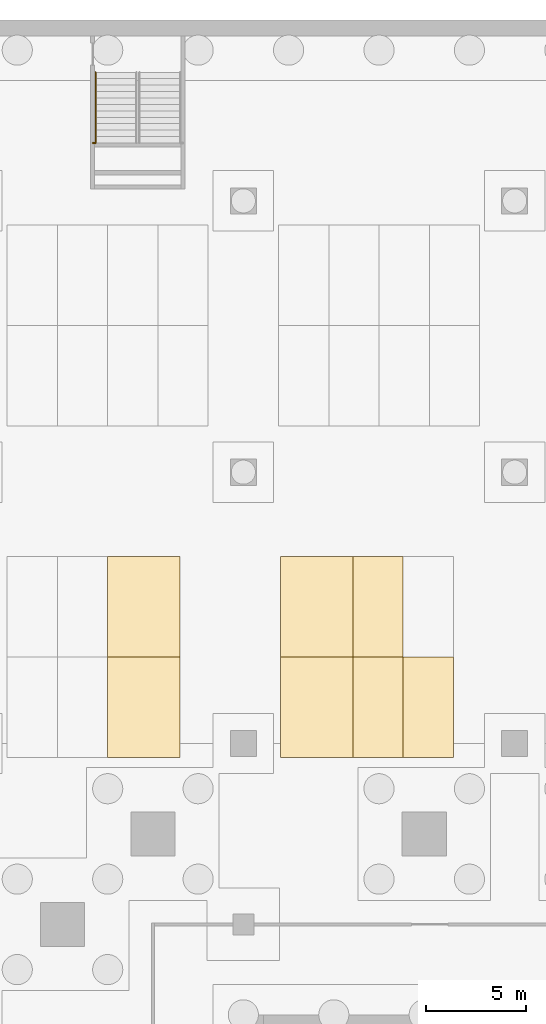
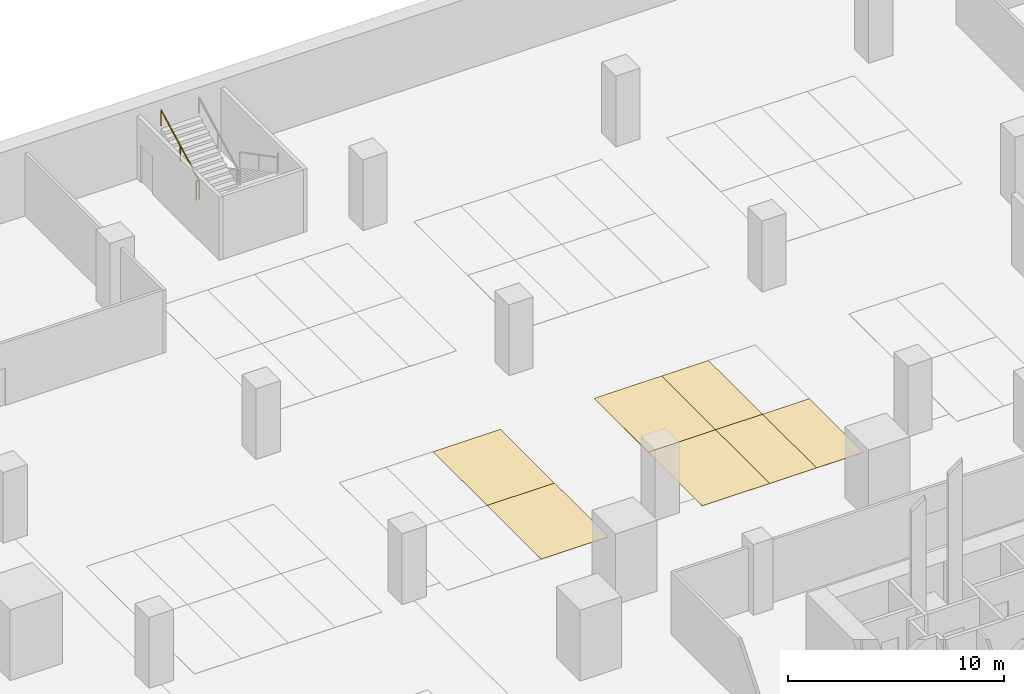
# One storey, part 35 of 40: 7 coverings, 2 railings.
"""IFC4 building model written with IfcOpenShell, lengths in metres."""

from ifc_helpers import new_model, si_unit, direction, frame, origin, origin_2d, place, context, subcontext, project, spatial, polyline, circle, outline, extrude, source, transform, mapped, material, layer, layer_set, type_object, element, save


model = new_model("IFC4")

# Units and contexts
model_context = context("Model", 3, precision=1e-05, world=origin(), true_north=direction((0.0, 1.0)))
body_context = subcontext(model_context, "Body", "Model", "MODEL_VIEW")
ifc_project = project(units=[si_unit("LENGTHUNIT", "METRE"), si_unit("AREAUNIT", "SQUARE_METRE"), si_unit("VOLUMEUNIT", "CUBIC_METRE"), si_unit("PLANEANGLEUNIT", "RADIAN"), si_unit("MASSUNIT", "GRAM", prefix="KILO")], contexts=[model_context])

# Site, building, storey
site_placement = place(None, origin())
site = spatial("IfcSite", under=ifc_project, at=site_placement, CompositionType="ELEMENT")
building_placement = place(site_placement, origin())
building = spatial("IfcBuilding", under=site, at=building_placement, Name="Altepetl Exchange Towers", CompositionType="ELEMENT")
storey_placement = place(building_placement, frame((0.0, 0.0, -8.0)))
storey = spatial("IfcBuildingStorey", under=building, at=storey_placement, Name="B2 Basement parking", CompositionType="ELEMENT", Elevation=-8.0)

# Coverings
ifc_material_1 = material(Name="Road marking paint")
ifc_layer_1 = layer(ifc_material_1, 0.010009765625)
ifc_layer_set_1 = layer_set([ifc_layer_1], Name="Road marking paint")
covering_type_1 = type_object("IfcCoveringType", Name="Accessible parking bay marking 3600 x 5000", PredefinedType="FLOORING", material=ifc_layer_set_1)
covering_1_placement = place(storey_placement, origin())
element("IfcCovering", 1, at=covering_1_placement, inside=storey, type_object=covering_type_1, Name="Accessible parking bay B2-097", PredefinedType="FLOORING", context=body_context, shape_type="SweptSolid", body=[
    extrude(outline(polyline([(96.75, 62.300048828125), (100.35009765625, 62.300048828125), (100.35009765625, 67.300048828125), (96.75, 67.300048828125), (96.75, 62.300048828125)])), origin(), (0.0, 0.0, 1.0), 0.010009765625),
])
covering_2_placement = place(storey_placement, origin())
element("IfcCovering", 2, at=covering_2_placement, inside=storey, type_object=covering_type_1, Name="Accessible parking bay B2-098", PredefinedType="FLOORING", context=body_context, shape_type="SweptSolid", body=[
    extrude(outline(polyline([(105.35009765625, 62.300048828125), (108.949951171875, 62.300048828125), (108.949951171875, 67.300048828125), (105.35009765625, 67.300048828125), (105.35009765625, 62.300048828125)])), origin(), (0.0, 0.0, 1.0), 0.010009765625),
])
covering_3_placement = place(storey_placement, origin())
element("IfcCovering", 3, at=covering_3_placement, inside=storey, type_object=covering_type_1, Name="Accessible parking bay B2-109", PredefinedType="FLOORING", context=body_context, shape_type="SweptSolid", body=[
    extrude(outline(polyline([(96.75, 67.300048828125), (100.35009765625, 67.300048828125), (100.35009765625, 72.300048828125), (96.75, 72.300048828125), (96.75, 67.300048828125)])), origin(), (0.0, 0.0, 1.0), 0.010009765625),
])
covering_4_placement = place(storey_placement, origin())
element("IfcCovering", 4, at=covering_4_placement, inside=storey, type_object=covering_type_1, Name="Accessible parking bay B2-110", PredefinedType="FLOORING", context=body_context, shape_type="SweptSolid", body=[
    extrude(outline(polyline([(105.35009765625, 67.300048828125), (108.949951171875, 67.300048828125), (108.949951171875, 72.300048828125), (105.35009765625, 72.300048828125), (105.35009765625, 67.300048828125)])), origin(), (0.0, 0.0, 1.0), 0.010009765625),
])
ifc_layer_2 = layer(ifc_material_1, 0.010009765625)
ifc_layer_set_2 = layer_set([ifc_layer_2], Name="Road marking paint")
covering_type_2 = type_object("IfcCoveringType", Name="Parking bay marking 2500 x 5000", PredefinedType="FLOORING", material=ifc_layer_set_2)
covering_5_placement = place(storey_placement, origin())
element("IfcCovering", 5, at=covering_5_placement, inside=storey, type_object=covering_type_2, Name="Parking bay B2-099", PredefinedType="FLOORING", context=body_context, shape_type="SweptSolid", body=[
    extrude(outline(polyline([(108.949951171875, 62.300048828125), (111.449951171875, 62.300048828125), (111.449951171875, 67.300048828125), (108.949951171875, 67.300048828125), (108.949951171875, 62.300048828125)])), origin(), (0.0, 0.0, 1.0), 0.010009765625),
])
covering_6_placement = place(storey_placement, origin())
element("IfcCovering", 6, at=covering_6_placement, inside=storey, type_object=covering_type_2, Name="Parking bay B2-100", PredefinedType="FLOORING", context=body_context, shape_type="SweptSolid", body=[
    extrude(outline(polyline([(111.449951171875, 62.300048828125), (113.949951171875, 62.300048828125), (113.949951171875, 67.300048828125), (111.449951171875, 67.300048828125), (111.449951171875, 62.300048828125)])), origin(), (0.0, 0.0, 1.0), 0.010009765625),
])
covering_7_placement = place(storey_placement, origin())
element("IfcCovering", 7, at=covering_7_placement, inside=storey, type_object=covering_type_2, Name="Parking bay B2-111", PredefinedType="FLOORING", context=body_context, shape_type="SweptSolid", body=[
    extrude(outline(polyline([(108.949951171875, 67.300048828125), (111.449951171875, 67.300048828125), (111.449951171875, 72.300048828125), (108.949951171875, 72.300048828125), (108.949951171875, 67.300048828125)])), origin(), (0.0, 0.0, 1.0), 0.010009765625),
])

# Railings
ifc_material_2 = material(Name="Laminated glass and steel", Category="steel")
railing_type_1 = type_object("IfcRailingType", Name="Hall gallery guard 1100", PredefinedType="GUARDRAIL", material=ifc_material_2)
shared_shape_1 = source(origin(), body_context, "Body", "SweptSolid", [
    extrude(circle(Radius=0.02001953125, at=origin_2d()), origin(), (0.0, 0.0, 1.0), 1.050048828125),
])
railing_1_placement = place(storey_placement, frame((96.14990234375, 92.8798828125, 2.0)))
element("IfcRailing", 8, at=railing_1_placement, inside=storey, type_object=railing_type_1, Name="rail:P:B2:ES6land1", PredefinedType="GUARDRAIL", context=body_context, shape_type="SweptSolid", body=[
    extrude(circle(Radius=0.02490234375, at=origin_2d()), frame((0.0, 0.0, 1.0751953125), z_axis=(-1.0, 0.0, 0.0), x_axis=(0.0, -1.0, 0.0)), (0.0, 0.0, 1.0), 0.14990234375),
    mapped(shared_shape_1, transform((0.0, 0.0, 0.0))),
    mapped(shared_shape_1, transform((-0.14990234375, 0.0, 0.0))),
])
ifc_material_3 = material(Name="Stainless steel", Category="steel")
railing_type_2 = type_object("IfcRailingType", Name="Stair handrail 900", PredefinedType="HANDRAIL", material=ifc_material_3)
shared_shape_2 = source(origin(), body_context, "Body", "SweptSolid", [
    extrude(circle(Radius=0.02001953125, at=origin_2d()), origin(), (0.0, 0.0, 1.0), 0.849853515625),
])
railing_2_placement = place(storey_placement, frame((96.14990234375, 92.8798828125, 2.166748046875)))
element("IfcRailing", 9, at=railing_2_placement, inside=storey, type_object=railing_type_2, Name="rail:P:B2:ES6:2b", PredefinedType="HANDRAIL", context=body_context, shape_type="SweptSolid", body=[
    extrude(circle(Radius=0.02490234375, at=origin_2d()), frame((0.0, 0.0, 0.875), z_axis=(0.0, 0.886923534906, 0.461916272965), x_axis=(-1.0, 0.0, 0.0)), (0.0, 0.0, 1.0), 3.96875),
    mapped(shared_shape_2, transform((0.0, 0.0, 0.0))),
    mapped(shared_shape_2, transform((0.0, 1.760009765625, 0.91650390625))),
    mapped(shared_shape_2, transform((0.0, 3.52001953125, 1.833251953125))),
])

save(model, "model.ifc")
